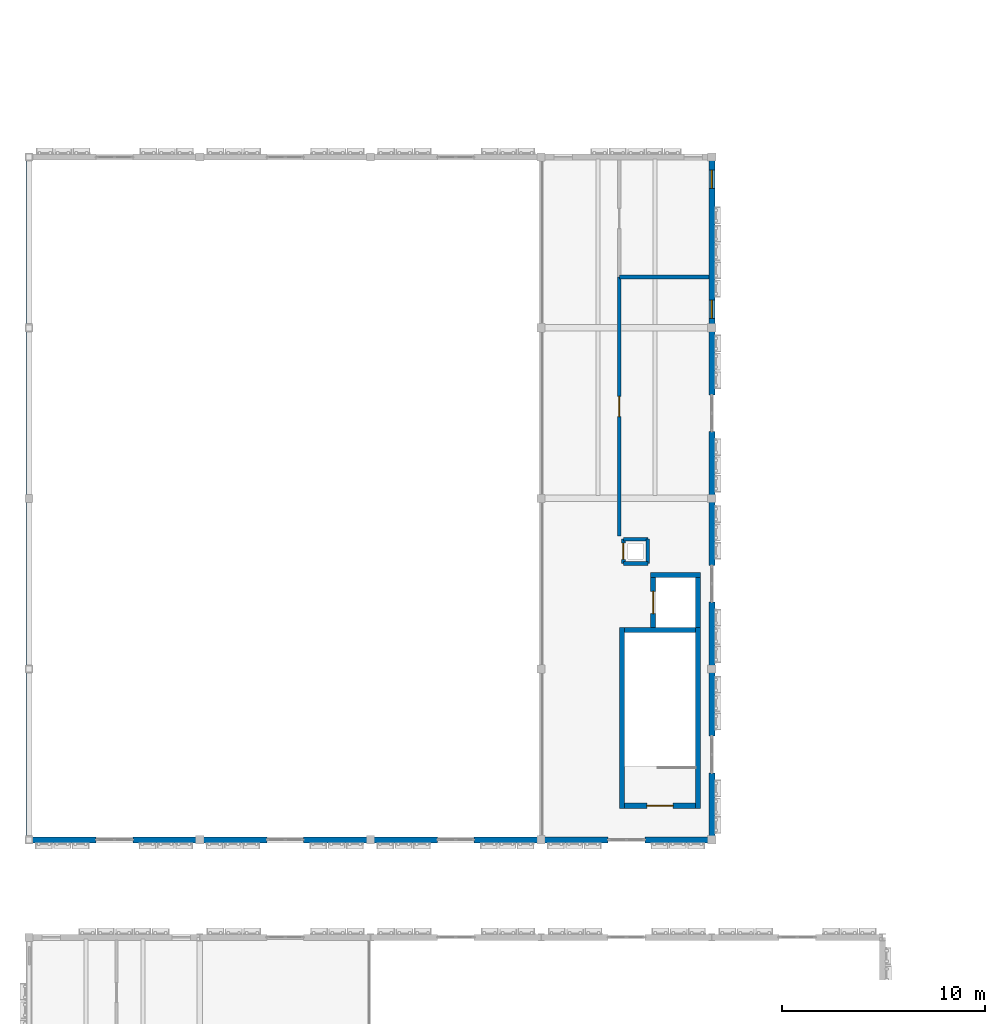
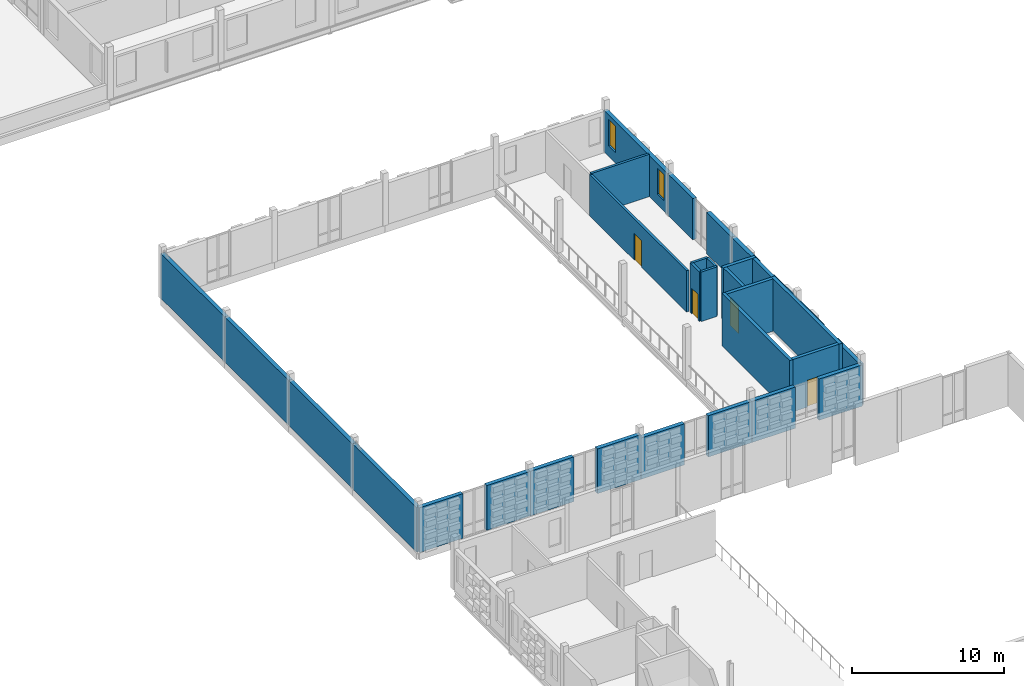
# One storey, part 54 of 81: 32 walls, 4 doors, 2 windows, 6 openings.
"""IFC4 building model written with IfcOpenShell, lengths in metres."""

from ifc_helpers import new_model, si_unit, direction, frame, frame_2d, origin, place, context, subcontext, project, spatial, rectangle, extrude, material, layer, layer_set, type_object, element, fill, save


model = new_model("IFC4")

# Units and contexts
model_context = context("Model", 3, precision=1e-05, world=origin(), true_north=direction((0.0, 1.0)))
body_context = subcontext(model_context, "Body", "Model", "MODEL_VIEW")
ifc_project = project(units=[si_unit("LENGTHUNIT", "METRE"), si_unit("AREAUNIT", "SQUARE_METRE"), si_unit("VOLUMEUNIT", "CUBIC_METRE"), si_unit("PLANEANGLEUNIT", "RADIAN"), si_unit("MASSUNIT", "GRAM", prefix="KILO")], contexts=[model_context])

# Site, building, storey
site_placement = place(None, origin())
site = spatial("IfcSite", under=ifc_project, at=site_placement, CompositionType="ELEMENT")
building_placement = place(site_placement, origin())
building = spatial("IfcBuilding", under=site, at=building_placement, Name="Kahlenmark Community Centre", CompositionType="ELEMENT")
storey_placement = place(building_placement, frame((0.0, 0.0, 9.60009765625)))
storey = spatial("IfcBuildingStorey", under=building, at=storey_placement, Name="L02", CompositionType="ELEMENT", Elevation=9.60009765625)

# Wall, opening, door
ifc_material_1 = material(Name="Concrete C35/45", Category="concrete")
ifc_layer_1 = layer(ifc_material_1, 0.25)
ifc_layer_set_1 = layer_set([ifc_layer_1], Name="Concrete C35/45")
wall_type_1 = type_object("IfcWallType", Name="WT-CORE-250", PredefinedType="SHEAR", material=ifc_layer_set_1)
wall_1_placement = place(storey_placement, frame((33.300048828125, 44.074951171875, 0.0), z_axis=(0.0, 0.0, 1.0), x_axis=(1.0, 0.0, 0.0)))
wall_1 = element("IfcWall", 1, at=wall_1_placement, inside=storey, type_object=wall_type_1, Name="Core K2 shear wall WL-CORE-K2-L02-0057", PredefinedType="SHEAR", context=body_context, shape_type="SweptSolid", body=[
    extrude(rectangle(XDim=3.5, YDim=0.25, at=frame_2d((1.75, 0.0))), origin(), (0.0, 0.0, 1.0), 4.199951171875),
])
opening_1_placement = place(wall_1_placement, frame((1.10009765625, 0.0, -0.010009765625)))
opening_1 = element("IfcOpeningElement", 2, at=opening_1_placement, cuts=wall_1, Name="Opening FD-K2-L02", PredefinedType="OPENING", context=body_context, shape_type="SweptSolid", body=[
    extrude(rectangle(XDim=1.300048828125, YDim=2.159912109375, at=frame_2d((0.64990234375, 1.080078125))), frame((0.0, 0.135009765625, 0.0), z_axis=(0.0, -1.0, 0.0), x_axis=(1.0, 0.0, 0.0)), (0.0, 0.0, 1.0), 0.27001953125),
])
ifc_material_2 = material(Name="Fire-rated steel-framed timber door FD60S", Category="steel")
door_type_1 = type_object("IfcDoorType", Name="DT-FD-K2-L02", OperationType="NOTDEFINED", PredefinedType="DOOR", material=ifc_material_2)
door_1_placement = place(opening_1_placement, frame((1.300048828125, 0.0, 0.010009765625), z_axis=(0.0, 0.0, 1.0), x_axis=(-1.0, 0.0, 0.0)))
door_1 = element("IfcDoor", 3, at=door_1_placement, inside=storey, type_object=door_type_1, Name="Core K2 stair fire door L02", OperationType="SINGLE_SWING_LEFT", OverallHeight=2.14990234375, OverallWidth=1.300048828125, PredefinedType="DOOR", context=body_context, shape_type="SweptSolid", body=[
    extrude(rectangle(XDim=1.300048828125, YDim=2.14990234375, at=frame_2d((0.64990234375, 1.074951171875))), frame((0.0, 0.02490234375, 0.0), z_axis=(0.0, -1.0, 0.0), x_axis=(1.0, 0.0, 0.0)), (0.0, 0.0, 1.0), 0.050048828125),
])
fill(opening_1, door_1)

# Walls
wall_2_placement = place(storey_placement, frame((33.175048828125, 43.949951171875, 0.0), z_axis=(0.0, 0.0, 1.0), x_axis=(0.0, 1.0, 0.0)))
element("IfcWall", 4, at=wall_2_placement, inside=storey, type_object=wall_type_1, Name="Core K2 shear wall WL-CORE-K2-L02-0058", PredefinedType="SHEAR", context=body_context, shape_type="SweptSolid", body=[
    extrude(rectangle(XDim=8.900146484375, YDim=0.25, at=frame_2d((4.4501953125, 0.0))), origin(), (0.0, 0.0, 1.0), 4.199951171875),
])
wall_3_placement = place(storey_placement, frame((36.800048828125, 52.72509765625, 0.0), z_axis=(0.0, 0.0, 1.0), x_axis=(-1.0, 0.0, 0.0)))
element("IfcWall", 5, at=wall_3_placement, inside=storey, type_object=wall_type_1, Name="Core K2 shear wall WL-CORE-K2-L02-0059", PredefinedType="SHEAR", context=body_context, shape_type="SweptSolid", body=[
    extrude(rectangle(XDim=3.5, YDim=0.25, at=frame_2d((1.75, 0.0))), origin(), (0.0, 0.0, 1.0), 4.199951171875),
])
wall_4_placement = place(storey_placement, frame((36.925048828125, 43.949951171875, 0.0), z_axis=(0.0, 0.0, 1.0), x_axis=(0.0, 1.0, 0.0)))
element("IfcWall", 6, at=wall_4_placement, inside=storey, type_object=wall_type_1, Name="Core K2 shear wall WL-CORE-K2-L02-0060", PredefinedType="SHEAR", context=body_context, shape_type="SweptSolid", body=[
    extrude(rectangle(XDim=8.900146484375, YDim=0.25, at=frame_2d((4.4501953125, 0.0))), origin(), (0.0, 0.0, 1.0), 4.199951171875),
])
wall_5_placement = place(storey_placement, frame((34.590087890625, 55.43505859375, 0.0), z_axis=(0.0, 0.0, 1.0), x_axis=(1.0, 0.0, 0.0)))
element("IfcWall", 7, at=wall_5_placement, inside=storey, type_object=wall_type_1, Name="Core K2 shear wall WL-CORE-K2-L02-0061", PredefinedType="SHEAR", context=body_context, shape_type="SweptSolid", body=[
    extrude(rectangle(XDim=2.4599609375, YDim=0.25, at=frame_2d((1.22998046875, 0.0))), origin(), (0.0, 0.0, 1.0), 4.199951171875),
])

# Wall, opening, door
wall_6_placement = place(storey_placement, frame((34.715087890625, 52.85009765625, 0.0), z_axis=(0.0, 0.0, 1.0), x_axis=(0.0, 1.0, 0.0)))
wall_6 = element("IfcWall", 8, at=wall_6_placement, inside=storey, type_object=wall_type_1, Name="Core K2 shear wall WL-CORE-K2-L02-0062", PredefinedType="SHEAR", context=body_context, shape_type="SweptSolid", body=[
    extrude(rectangle(XDim=2.4599609375, YDim=0.25, at=frame_2d((1.22998046875, 0.0))), origin(), (0.0, 0.0, 1.0), 4.199951171875),
])
opening_2_placement = place(wall_6_placement, frame((0.679931640625, 0.0, -0.010009765625)))
opening_2 = element("IfcOpeningElement", 9, at=opening_2_placement, cuts=wall_6, Name="Opening LD-2", PredefinedType="OPENING", context=body_context, shape_type="SweptSolid", body=[
    extrude(rectangle(XDim=1.10009765625, YDim=2.159912109375, at=frame_2d((0.550048828125, 1.080078125))), frame((0.0, 0.135009765625, 0.0), z_axis=(0.0, -1.0, 0.0), x_axis=(1.0, 0.0, 0.0)), (0.0, 0.0, 1.0), 0.27001953125),
])
ifc_material_3 = material(Name="Brushed stainless steel sliding lift landing door", Category="steel")
door_type_2 = type_object("IfcDoorType", Name="DT-LD-K2", OperationType="SLIDING_TO_LEFT", PredefinedType="DOOR", material=ifc_material_3)
door_2_placement = place(opening_2_placement, frame((0.0, 0.0, 0.010009765625)))
door_2 = element("IfcDoor", 10, at=door_2_placement, inside=storey, type_object=door_type_2, Name="Lift LF-02 sliding landing door L02", OperationType="SLIDING_TO_LEFT", OverallHeight=2.14990234375, OverallWidth=1.10009765625, PredefinedType="DOOR", context=body_context, shape_type="SweptSolid", body=[
    extrude(rectangle(XDim=1.10009765625, YDim=2.14990234375, at=frame_2d((0.550048828125, 1.074951171875))), frame((0.0, 0.02490234375, 0.0), z_axis=(0.0, -1.0, 0.0), x_axis=(1.0, 0.0, 0.0)), (0.0, 0.0, 1.0), 0.050048828125),
])
fill(opening_2, door_2)

# Walls
wall_7_placement = place(storey_placement, frame((36.925048828125, 52.85009765625, 0.0), z_axis=(0.0, 0.0, 1.0), x_axis=(0.0, 1.0, 0.0)))
element("IfcWall", 11, at=wall_7_placement, inside=storey, type_object=wall_type_1, Name="Core K2 shear wall WL-CORE-K2-L02-0063", PredefinedType="SHEAR", context=body_context, shape_type="SweptSolid", body=[
    extrude(rectangle(XDim=2.7099609375, YDim=0.25, at=frame_2d((1.35498046875, 0.0))), origin(), (0.0, 0.0, 1.0), 4.199951171875),
])
ifc_material_4 = material(Name="Cross-laminated timber CLT C24", Category="wood")
ifc_layer_2 = layer(ifc_material_4, 0.300048828125)
ifc_layer_set_2 = layer_set([ifc_layer_2], Name="Cross-laminated timber CLT C24")
wall_type_2 = type_object("IfcWallType", Name="WT-EW-300", PredefinedType="SOLIDWALL", material=ifc_layer_set_2)
wall_8_placement = place(storey_placement, frame((4.0, 42.39990234375, 0.0), z_axis=(0.0, 0.0, 1.0), x_axis=(1.0, 0.0, 0.0)))
element("IfcWall", 12, at=wall_8_placement, inside=storey, type_object=wall_type_2, Name="Basketweave backup wall WL-EXT-L02-0442", PredefinedType="SOLIDWALL", context=body_context, shape_type="SweptSolid", body=[
    extrude(rectangle(XDim=3.300048828125, YDim=0.300048828125, at=frame_2d((1.64990234375, 0.0))), origin(), (0.0, 0.0, 1.0), 3.58984375),
])
wall_9_placement = place(storey_placement, frame((9.10009765625, 42.39990234375, 0.0), z_axis=(0.0, 0.0, 1.0), x_axis=(1.0, 0.0, 0.0)))
element("IfcWall", 13, at=wall_9_placement, inside=storey, type_object=wall_type_2, Name="Basketweave backup wall WL-EXT-L02-0443", PredefinedType="SOLIDWALL", context=body_context, shape_type="SweptSolid", body=[
    extrude(rectangle(XDim=3.2998046875, YDim=0.300048828125, at=frame_2d((1.64990234375, 0.0))), origin(), (0.0, 0.0, 1.0), 3.58984375),
])
for number, where, z_axis, x_axis, name in (
    (14, (12.39990234375, 42.39990234375, 0.0), (0.0, 0.0, 1.0), (1.0, 0.0, 0.0), "Basketweave backup wall WL-EXT-L02-0444"),
    (15, (17.5, 42.39990234375, 0.0), (0.0, 0.0, 1.0), (1.0, 0.0, 0.0), "Basketweave backup wall WL-EXT-L02-0445"),
):
    element("IfcWall", number, at=place(storey_placement, frame(where, z_axis=z_axis, x_axis=x_axis)), inside=storey, type_object=wall_type_2, Name=name, PredefinedType="SOLIDWALL", context=body_context, shape_type="SweptSolid", body=[
        extrude(rectangle(XDim=3.300048828125, YDim=0.300048828125, at=frame_2d((1.64990234375, 0.0))), origin(), (0.0, 0.0, 1.0), 3.58984375),
    ])
for number, where, z_axis, x_axis, name in (
    (16, (20.800048828125, 42.39990234375, 0.0), (0.0, 0.0, 1.0), (1.0, 0.0, 0.0), "Basketweave backup wall WL-EXT-L02-0446"),
    (17, (25.89990234375, 42.39990234375, 0.0), (0.0, 0.0, 1.0), (1.0, 0.0, 0.0), "Basketweave backup wall WL-EXT-L02-0447"),
    (18, (29.199951171875, 42.39990234375, 0.0), (0.0, 0.0, 1.0), (1.0, 0.0, 0.0), "Basketweave backup wall WL-EXT-L02-0448"),
    (19, (34.300048828125, 42.39990234375, 0.0), (0.0, 0.0, 1.0), (1.0, 0.0, 0.0), "Basketweave backup wall WL-EXT-L02-0449"),
):
    element("IfcWall", number, at=place(storey_placement, frame(where, z_axis=z_axis, x_axis=x_axis)), inside=storey, type_object=wall_type_2, Name=name, PredefinedType="SOLIDWALL", context=body_context, shape_type="SweptSolid", body=[
        extrude(rectangle(XDim=3.300048828125, YDim=0.300048828125, at=frame_2d((1.64990234375, 0.0))), origin(), (0.0, 0.0, 1.0), 3.309814453125),
    ])
wall_10_placement = place(storey_placement, frame((4.0, 50.800048828125, 0.0), z_axis=(0.0, 0.0, 1.0), x_axis=(0.0, -1.0, 0.0)))
element("IfcWall", 20, at=wall_10_placement, inside=storey, type_object=wall_type_2, Name="Exterior wall WL-EXT-L02-0457", PredefinedType="SOLIDWALL", context=body_context, shape_type="SweptSolid", body=[
    extrude(rectangle(XDim=8.400146484375, YDim=0.300048828125, at=frame_2d((4.2001953125, 0.0))), origin(), (0.0, 0.0, 1.0), 3.58984375),
])
wall_11_placement = place(storey_placement, frame((4.0, 59.199951171875, 0.0), z_axis=(0.0, 0.0, 1.0), x_axis=(0.0, -1.0, 0.0)))
element("IfcWall", 21, at=wall_11_placement, inside=storey, type_object=wall_type_2, Name="Exterior wall WL-EXT-L02-0458", PredefinedType="SOLIDWALL", context=body_context, shape_type="SweptSolid", body=[
    extrude(rectangle(XDim=8.39990234375, YDim=0.300048828125, at=frame_2d((4.199951171875, 0.0))), origin(), (0.0, 0.0, 1.0), 3.58984375),
])
wall_12_placement = place(storey_placement, frame((4.0, 67.60009765625, 0.0), z_axis=(0.0, 0.0, 1.0), x_axis=(0.0, -1.0, 0.0)))
element("IfcWall", 22, at=wall_12_placement, inside=storey, type_object=wall_type_2, Name="Exterior wall WL-EXT-L02-0459", PredefinedType="SOLIDWALL", context=body_context, shape_type="SweptSolid", body=[
    extrude(rectangle(XDim=8.400146484375, YDim=0.300048828125, at=frame_2d((4.2001953125, 0.0))), origin(), (0.0, 0.0, 1.0), 3.58984375),
])
wall_13_placement = place(storey_placement, frame((4.0, 76.0, 0.0), z_axis=(0.0, 0.0, 1.0), x_axis=(0.0, -1.0, 0.0)))
element("IfcWall", 23, at=wall_13_placement, inside=storey, type_object=wall_type_2, Name="Exterior wall WL-EXT-L02-0460", PredefinedType="SOLIDWALL", context=body_context, shape_type="SweptSolid", body=[
    extrude(rectangle(XDim=8.39990234375, YDim=0.300048828125, at=frame_2d((4.199951171875, 0.0))), origin(), (0.0, 0.0, 1.0), 3.58984375),
])
for number, where, z_axis, x_axis, name in (
    (24, (37.60009765625, 42.39990234375, 0.0), (0.0, 0.0, 1.0), (0.0, 1.0, 0.0), "Basketweave backup wall WL-EXT-L02-0461"),
    (25, (37.60009765625, 47.5, 0.0), (0.0, 0.0, 1.0), (0.0, 1.0, 0.0), "Basketweave backup wall WL-EXT-L02-0462"),
    (26, (37.60009765625, 50.800048828125, 0.0), (0.0, 0.0, 1.0), (0.0, 1.0, 0.0), "Basketweave backup wall WL-EXT-L02-0463"),
    (27, (37.60009765625, 55.89990234375, 0.0), (0.0, 0.0, 1.0), (0.0, 1.0, 0.0), "Basketweave backup wall WL-EXT-L02-0464"),
    (28, (37.60009765625, 59.199951171875, 0.0), (0.0, 0.0, 1.0), (0.0, 1.0, 0.0), "Basketweave backup wall WL-EXT-L02-0465"),
    (29, (37.60009765625, 64.300048828125, 0.0), (0.0, 0.0, 1.0), (0.0, 1.0, 0.0), "Basketweave backup wall WL-EXT-L02-0466"),
):
    element("IfcWall", number, at=place(storey_placement, frame(where, z_axis=z_axis, x_axis=x_axis)), inside=storey, type_object=wall_type_2, Name=name, PredefinedType="SOLIDWALL", context=body_context, shape_type="SweptSolid", body=[
        extrude(rectangle(XDim=3.300048828125, YDim=0.300048828125, at=frame_2d((1.64990234375, 0.0))), origin(), (0.0, 0.0, 1.0), 3.309814453125),
    ])

# Wall, openings, windows
wall_14_placement = place(storey_placement, frame((37.60009765625, 67.60009765625, 0.0), z_axis=(0.0, 0.0, 1.0), x_axis=(0.0, 1.0, 0.0)))
wall_14 = element("IfcWall", 30, at=wall_14_placement, inside=storey, type_object=wall_type_2, Name="Exterior wall WL-EXT-L02-0467", PredefinedType="SOLIDWALL", context=body_context, shape_type="SweptSolid", body=[
    extrude(rectangle(XDim=8.39990234375, YDim=0.300048828125, at=frame_2d((4.199951171875, 0.0))), origin(), (0.0, 0.0, 1.0), 3.309814453125),
])
opening_3_placement = place(wall_14_placement, frame((0.4599609375, 0.0, 0.85009765625)))
opening_3 = element("IfcOpeningElement", 31, at=opening_3_placement, cuts=wall_14, Name="Opening W-090X210", PredefinedType="OPENING", context=body_context, shape_type="SweptSolid", body=[
    extrude(rectangle(XDim=0.89990234375, YDim=2.10009765625, at=frame_2d((0.449951171875, 1.050048828125))), frame((0.0, 0.159912109375, 0.0), z_axis=(0.0, -1.0, 0.0), x_axis=(1.0, 0.0, 0.0)), (0.0, 0.0, 1.0), 0.320068359375),
])
opening_4_placement = place(wall_14_placement, frame((6.860107421875, 0.0, 0.85009765625)))
opening_4 = element("IfcOpeningElement", 32, at=opening_4_placement, cuts=wall_14, Name="Opening W-090X210", PredefinedType="OPENING", context=body_context, shape_type="SweptSolid", body=[
    extrude(rectangle(XDim=0.89990234375, YDim=2.10009765625, at=frame_2d((0.449951171875, 1.050048828125))), frame((0.0, 0.159912109375, 0.0), z_axis=(0.0, -1.0, 0.0), x_axis=(1.0, 0.0, 0.0)), (0.0, 0.0, 1.0), 0.320068359375),
])
ifc_material_5 = material(Name="Recessed basketweave aperture triple glazing", Category="glass")
window_type = type_object("IfcWindowType", Name="WNT-090X210", PartitioningType="SINGLE_PANEL", PredefinedType="WINDOW", material=ifc_material_5)
window_1_placement = place(opening_3_placement, origin())
window_1 = element("IfcWindow", 33, at=window_1_placement, inside=storey, type_object=window_type, Name="Window W-090X210 #0273", OverallHeight=2.10009765625, OverallWidth=0.89990234375, PartitioningType="SINGLE_PANEL", PredefinedType="WINDOW", context=body_context, shape_type="SweptSolid", body=[
    extrude(rectangle(XDim=0.89990234375, YDim=2.10009765625, at=frame_2d((0.449951171875, 1.050048828125))), frame((0.0, 0.030029296875, 0.0), z_axis=(0.0, -1.0, 0.0), x_axis=(1.0, 0.0, 0.0)), (0.0, 0.0, 1.0), 0.06005859375),
])
fill(opening_3, window_1)
window_2_placement = place(opening_4_placement, origin())
window_2 = element("IfcWindow", 34, at=window_2_placement, inside=storey, type_object=window_type, Name="Window W-090X210 #0274", OverallHeight=2.10009765625, OverallWidth=0.89990234375, PartitioningType="SINGLE_PANEL", PredefinedType="WINDOW", context=body_context, shape_type="SweptSolid", body=[
    extrude(rectangle(XDim=0.89990234375, YDim=2.10009765625, at=frame_2d((0.449951171875, 1.050048828125))), frame((0.0, 0.030029296875, 0.0), z_axis=(0.0, -1.0, 0.0), x_axis=(1.0, 0.0, 0.0)), (0.0, 0.0, 1.0), 0.06005859375),
])
fill(opening_4, window_2)

# Wall, opening, door
ifc_material_6 = material(Name="Gypsum plasterboard partition", Category="gypsum")
ifc_layer_3 = layer(ifc_material_6, 0.179931640625)
ifc_layer_set_3 = layer_set([ifc_layer_3], Name="Gypsum plasterboard partition")
wall_type_3 = type_object("IfcWallType", Name="WT-PW-180", PredefinedType="PARTITIONING", material=ifc_layer_set_3)
wall_15_placement = place(storey_placement, frame((33.050048828125, 57.35009765625, 0.0), z_axis=(0.0, 0.0, 1.0), x_axis=(0.0, 1.0, 0.0)))
wall_15 = element("IfcWall", 35, at=wall_15_placement, inside=storey, type_object=wall_type_3, Name="Interior partition WL-INT-L02-0169", PredefinedType="PARTITIONING", context=body_context, shape_type="SweptSolid", body=[
    extrude(rectangle(XDim=12.75, YDim=0.179931640625, at=frame_2d((6.375, 0.0))), origin(), (0.0, 0.0, 1.0), 3.309814453125),
])
opening_5_placement = place(wall_15_placement, frame((5.875, 0.0, -0.010009765625)))
opening_5 = element("IfcOpeningElement", 36, at=opening_5_placement, cuts=wall_15, Name="Opening D-L02-098", PredefinedType="OPENING", context=body_context, shape_type="SweptSolid", body=[
    extrude(rectangle(XDim=1.0, YDim=2.159912109375, at=frame_2d((0.5, 1.080078125))), frame((0.0, 0.099853515625, 0.0), z_axis=(0.0, -1.0, 0.0), x_axis=(1.0, 0.0, 0.0)), (0.0, 0.0, 1.0), 0.199951171875),
])
ifc_material_7 = material(Name="Oak timber veneer door leaf", Category="wood")
door_type_3 = type_object("IfcDoorType", Name="DT-INT-100X215", OperationType="NOTDEFINED", PredefinedType="DOOR", material=ifc_material_7)
door_3_placement = place(opening_5_placement, frame((0.0, 0.0, 0.010009765625)))
door_3 = element("IfcDoor", 37, at=door_3_placement, inside=storey, type_object=door_type_3, Name="Interior door D-L02-098", OperationType="SINGLE_SWING_LEFT", OverallHeight=2.14990234375, OverallWidth=1.0, PredefinedType="DOOR", context=body_context, shape_type="SweptSolid", body=[
    extrude(rectangle(XDim=1.0, YDim=2.14990234375, at=frame_2d((0.5, 1.074951171875))), frame((0.0, 0.02490234375, 0.0), z_axis=(0.0, -1.0, 0.0), x_axis=(1.0, 0.0, 0.0)), (0.0, 0.0, 1.0), 0.050048828125),
])
fill(opening_5, door_3)

# Walls
wall_16_placement = place(storey_placement, frame((33.050048828125, 70.10009765625, 0.0), z_axis=(0.0, 0.0, 1.0), x_axis=(1.0, 0.0, 0.0)))
element("IfcWall", 38, at=wall_16_placement, inside=storey, type_object=wall_type_3, Name="Interior partition WL-INT-L02-0171", PredefinedType="PARTITIONING", context=body_context, shape_type="SweptSolid", body=[
    extrude(rectangle(XDim=4.409912109375, YDim=0.179931640625, at=frame_2d((2.205078125, 0.0))), origin(), (0.0, 0.0, 1.0), 3.389892578125),
])
ifc_material_8 = material(Name="Masonry blockwork", Category="masonry")
ifc_layer_4 = layer(ifc_material_8, 0.179931640625)
ifc_layer_set_4 = layer_set([ifc_layer_4], Name="Masonry blockwork")
wall_type_4 = type_object("IfcWallType", Name="WT-RISER-180", PredefinedType="SOLIDWALL", material=ifc_layer_set_4)
for number, where, z_axis, x_axis, name in (
    (39, (33.25, 56.0, 0.0), (0.0, 0.0, 1.0), (1.0, 0.0, 0.0), "Riser RS-02 shaft wall L02.1"),
    (40, (34.449951171875, 56.0, 0.0), (0.0, 0.0, 1.0), (0.0, 1.0, 0.0), "Riser RS-02 shaft wall L02.2"),
    (41, (34.449951171875, 57.199951171875, 0.0), (0.0, 0.0, 1.0), (-1.0, 0.0, 0.0), "Riser RS-02 shaft wall L02.3"),
):
    element("IfcWall", number, at=place(storey_placement, frame(where, z_axis=z_axis, x_axis=x_axis)), inside=storey, type_object=wall_type_4, Name=name, PredefinedType="SOLIDWALL", context=body_context, shape_type="SweptSolid", body=[
        extrude(rectangle(XDim=1.199951171875, YDim=0.179931640625, at=frame_2d((0.60009765625, 0.0))), origin(), (0.0, 0.0, 1.0), 3.969970703125),
    ])

# Wall, opening, door
wall_17_placement = place(storey_placement, frame((33.25, 57.199951171875, 0.0), z_axis=(0.0, 0.0, 1.0), x_axis=(0.0, -1.0, 0.0)))
wall_17 = element("IfcWall", 42, at=wall_17_placement, inside=storey, type_object=wall_type_4, Name="Riser RS-02 shaft wall L02.4", PredefinedType="SOLIDWALL", context=body_context, shape_type="SweptSolid", body=[
    extrude(rectangle(XDim=1.199951171875, YDim=0.179931640625, at=frame_2d((0.60009765625, 0.0))), origin(), (0.0, 0.0, 1.0), 3.969970703125),
])
opening_6_placement = place(wall_17_placement, frame((0.199951171875, 0.0, -0.010009765625)))
opening_6 = element("IfcOpeningElement", 43, at=opening_6_placement, cuts=wall_17, Name="Opening FD-RS80", PredefinedType="OPENING", context=body_context, shape_type="SweptSolid", body=[
    extrude(rectangle(XDim=0.800048828125, YDim=2.06005859375, at=frame_2d((0.39990234375, 1.030029296875))), frame((0.0, 0.099853515625, 0.0), z_axis=(0.0, -1.0, 0.0), x_axis=(1.0, 0.0, 0.0)), (0.0, 0.0, 1.0), 0.199951171875),
])
ifc_material_9 = material(Name="Fire-rated steel service riser door FD60S", Category="steel")
door_type_4 = type_object("IfcDoorType", Name="DT-RISER-80X205", OperationType="NOTDEFINED", PredefinedType="DOOR", material=ifc_material_9)
door_4_placement = place(opening_6_placement, frame((0.0, 0.0, 0.010009765625)))
door_4 = element("IfcDoor", 44, at=door_4_placement, inside=storey, type_object=door_type_4, Name="Riser RS-02 access door L02", OperationType="SINGLE_SWING_LEFT", OverallHeight=2.050048828125, OverallWidth=0.800048828125, PredefinedType="DOOR", context=body_context, shape_type="SweptSolid", body=[
    extrude(rectangle(XDim=0.800048828125, YDim=2.050048828125, at=frame_2d((0.39990234375, 1.02490234375))), frame((0.0, 0.02490234375, 0.0), z_axis=(0.0, -1.0, 0.0), x_axis=(1.0, 0.0, 0.0)), (0.0, 0.0, 1.0), 0.050048828125),
])
fill(opening_6, door_4)

save(model, "model.ifc")
